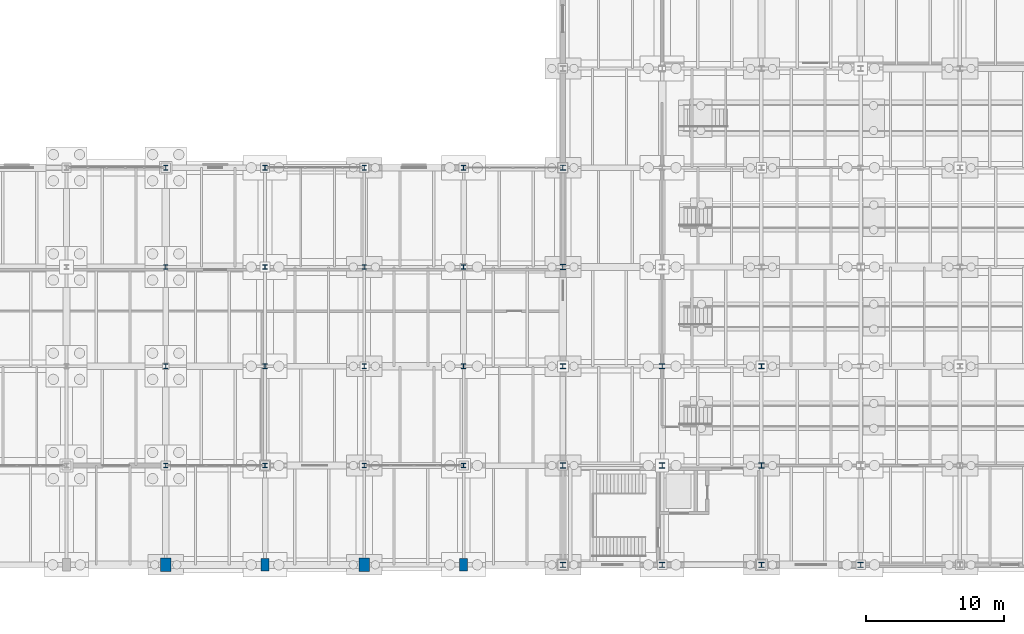
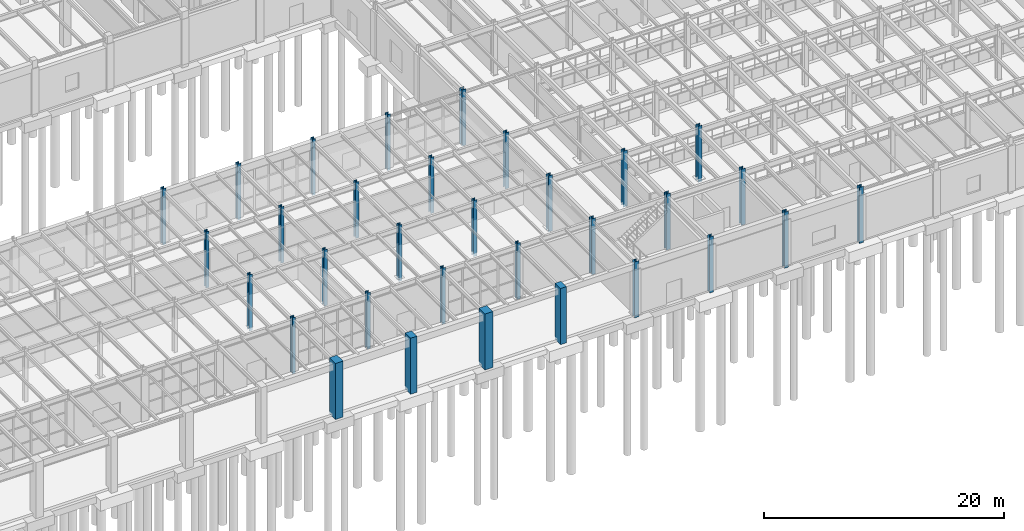
# One storey, part 26 of 293: 32 columns.
"""IFC4 building model written with IfcOpenShell, lengths in metres."""

import ifcopenshell
import ifcopenshell.guid

model = None  # the IFC model being written
_history = None  # IfcOwnerHistory: only IFC2X3 demands one
_inside = {}  # id of a spatial element -> (the spatial element, [elements in it])
_under = {}  # id of a project, library or spatial element -> (it, [spatial elements below it])
_declared = {}  # id of a project -> (the project, [libraries it declares])
_typed = {}  # id of a type object -> (the type object, [elements of that type])
_made_of = {}  # id of a material, layer set ... -> (it, [elements and type objects made of it])


def new_model(schema):
    """Start an empty IFC model of exactly this schema.

    Asked for "IFC4X3", IfcOpenShell would pick the latest addendum, in which some entities
    have other attributes; the version numbers below select the first issue.
    IFC2X3 requires an IfcOwnerHistory on every rooted entity: one is made here for all.
    """
    global model, _history
    if schema == "IFC4X3":
        model = ifcopenshell.file(schema_version=(4, 3, 0, 0))
    else:
        model = ifcopenshell.file(schema=schema)
    _inside.clear()
    _under.clear()
    _declared.clear()
    _typed.clear()
    _made_of.clear()
    _history = None
    if model.schema == "IFC2X3":
        org = make("IfcOrganization", Name="unknown")
        user = make(
            "IfcPersonAndOrganization",
            ThePerson=make("IfcPerson", FamilyName="unknown"),
            TheOrganization=org,
        )
        app = make(
            "IfcApplication",
            ApplicationDeveloper=org,
            Version="unknown",
            ApplicationFullName="unknown",
            ApplicationIdentifier="unknown",
        )
        _history = make(
            "IfcOwnerHistory",
            OwningUser=user,
            OwningApplication=app,
            ChangeAction="ADDED",
            CreationDate=0,
        )
    return model


def make(cls, **values):
    """One entity of the class cls with the attributes given. An attribute that is None is left unset."""
    return model.create_entity(
        cls, **{name: value for name, value in values.items() if value is not None}
    )


def rooted(cls, **values):
    """An entity with a GlobalId (a new one), such as an element, a storey or a relation."""
    return make(cls, GlobalId=ifcopenshell.guid.new(), OwnerHistory=_history, **values)


def si_unit(unit_type, name, prefix=None):
    """IfcSIUnit, for example si_unit("LENGTHUNIT", "METRE", prefix="MILLI")."""
    return make("IfcSIUnit", UnitType=unit_type, Prefix=prefix, Name=name)


def assignment(units):
    """IfcUnitAssignment: the units of a project."""
    return None if units is None else make("IfcUnitAssignment", Units=units)


def point(xyz):
    """IfcCartesianPoint."""
    return None if xyz is None else make("IfcCartesianPoint", Coordinates=xyz)


def direction(xyz):
    """IfcDirection."""
    return None if xyz is None else make("IfcDirection", DirectionRatios=xyz)


def frame(location, z_axis=None, x_axis=None):
    """IfcAxis2Placement3D, a coordinate frame: its origin and axes. An axis left out is left unset."""
    return make(
        "IfcAxis2Placement3D",
        Location=point(location),
        Axis=direction(z_axis),
        RefDirection=direction(x_axis),
    )


def frame_2d(location, x_axis=None):
    """IfcAxis2Placement2D, a coordinate frame in the plane: its origin and x axis."""
    return make(
        "IfcAxis2Placement2D", Location=point(location), RefDirection=direction(x_axis)
    )


def origin():
    """The frame at (0, 0, 0) with its axes left unset."""
    return frame((0.0, 0.0, 0.0))


def origin_2d():
    """The frame at (0, 0) in the plane with its x axis left unset."""
    return frame_2d((0.0, 0.0))


def place(relative_to, where):
    """IfcLocalPlacement: puts the frame where relative to a parent placement (None: the world)."""
    return make(
        "IfcLocalPlacement", PlacementRelTo=relative_to, RelativePlacement=where
    )


def context(
    kind, dimensions, precision=None, world=None, true_north=None, identifier=None
):
    """IfcGeometricRepresentationContext, for example the 3D "Model" context."""
    return make(
        "IfcGeometricRepresentationContext",
        ContextIdentifier=identifier,
        ContextType=kind,
        CoordinateSpaceDimension=dimensions,
        Precision=precision,
        WorldCoordinateSystem=world,
        TrueNorth=true_north,
    )


def subcontext(parent, identifier, kind, view, scale=None):
    """IfcGeometricRepresentationSubContext, for example "Body" below "Model"."""
    return make(
        "IfcGeometricRepresentationSubContext",
        ContextIdentifier=identifier,
        ContextType=kind,
        ParentContext=parent,
        TargetScale=scale,
        TargetView=view,
    )


def project(units=None, contexts=None):
    """IfcProject with its units and contexts."""
    return rooted(
        "IfcProject",
        Name="project",
        RepresentationContexts=contexts,
        UnitsInContext=assignment(units),
    )


def spatial(cls, under=None, at=None, **own):
    """A site, building, storey or space (cls), placed at a placement, below another one or the project."""
    s = rooted(cls, ObjectPlacement=at, **own)
    if under is not None:
        _under.setdefault(under.id(), (under, []))[1].append(s)
    return s


def profile(cls, at=None, kind="AREA", **sizes):
    """A parametric profile (cls). Its sizes go by their IFC names, for example OverallWidth=200.0."""
    return make(cls, ProfileType=kind, Position=at, **sizes)


def rectangle(**sizes):
    """IfcRectangleProfileDef."""
    return profile("IfcRectangleProfileDef", **sizes)


def i_section(**sizes):
    """IfcIShapeProfileDef."""
    return profile("IfcIShapeProfileDef", **sizes)


def extrude(swept, where, along, depth):
    """IfcExtrudedAreaSolid: the profile swept, set in the frame where, extruded along a direction by depth."""
    return make(
        "IfcExtrudedAreaSolid",
        SweptArea=swept,
        Position=where,
        ExtrudedDirection=direction(along),
        Depth=depth,
    )


def shape(context_of_items, identifier, shape_type, items):
    """IfcShapeRepresentation: the items that make up one representation, for example the "Body"."""
    return make(
        "IfcShapeRepresentation",
        ContextOfItems=context_of_items,
        RepresentationIdentifier=identifier,
        RepresentationType=shape_type,
        Items=items,
    )


def material(Name=None, Category=None):
    """IfcMaterial."""
    return make("IfcMaterial", Name=Name, Category=Category)


def material_profile(
    of_material, cross_section, Name=None, Category=None, Priority=None
):
    """IfcMaterialProfile: a cross section and its material."""
    return make(
        "IfcMaterialProfile",
        Name=Name,
        Material=of_material,
        Profile=cross_section,
        Priority=Priority,
        Category=Category,
    )


def profile_set(profiles, Name=None, composite=None):
    """IfcMaterialProfileSet."""
    return make(
        "IfcMaterialProfileSet",
        Name=Name,
        MaterialProfiles=profiles,
        CompositeProfile=composite,
    )


def made_of(thing, what):
    """Note that an element or type object is made of a material, layer set ...; save() writes the relation."""
    if what is not None:
        _made_of.setdefault(what.id(), (what, []))[1].append(thing)
    return thing


def type_object(cls, material=None, **own):
    """A type object (cls), such as IfcWallType, which elements share."""
    return made_of(rooted(cls, **own), material)


def element(
    cls,
    number,
    at=None,
    inside=None,
    cuts=None,
    type_object=None,
    material=None,
    context=None,
    identifier="Body",
    shape_type=None,
    held_by="IfcProductDefinitionShape",
    body=None,
    shapes=None,
    **own,
):
    """One element of the class cls, such as IfcWall. Its Tag is "e" and its number.

    at: its placement. inside: the storey or other place that contains it. cuts: it is an
    opening in that element (IfcRelVoidsElement). A single representation is given by context,
    identifier, shape_type and body (its items); several are given by shapes. held_by: the class
    of the entity that holds the representations. save() writes the other relations.
    """
    e = rooted(cls, Tag="e%d" % number, ObjectPlacement=at, **own)
    if body is not None:
        shapes = [shape(context, identifier, shape_type, body)]
    if shapes is not None:
        e.Representation = make(held_by, Representations=shapes)
    if inside is not None:
        _inside.setdefault(inside.id(), (inside, []))[1].append(e)
    if cuts is not None:
        rooted(
            "IfcRelVoidsElement", RelatingBuildingElement=cuts, RelatedOpeningElement=e
        )
    if type_object is not None:
        _typed.setdefault(type_object.id(), (type_object, []))[1].append(e)
    return made_of(e, material)


def aggregate(whole, parts):
    """IfcRelAggregates: a whole, such as a stair, and the parts it consists of."""
    return rooted("IfcRelAggregates", RelatingObject=whole, RelatedObjects=parts)


def save(model, path):
    """Write the relations noted so far, then the file.

    IfcRelAggregates (storeys below a building ...), IfcRelContainedInSpatialStructure (elements
    in a storey), IfcRelDefinesByType, IfcRelAssociatesMaterial and IfcRelDeclares: one each for
    every whole, place, type object, material and project.
    """
    for whole, parts in _under.values():
        aggregate(whole, parts)
    for where, things in _inside.values():
        rooted(
            "IfcRelContainedInSpatialStructure",
            RelatedElements=things,
            RelatingStructure=where,
        )
    for kind, things in _typed.values():
        rooted("IfcRelDefinesByType", RelatedObjects=things, RelatingType=kind)
    for what, things in _made_of.values():
        rooted("IfcRelAssociatesMaterial", RelatedObjects=things, RelatingMaterial=what)
    for by, libraries in _declared.values():
        rooted("IfcRelDeclares", RelatingContext=by, RelatedDefinitions=libraries)
    model.write(path)


model = new_model("IFC4")

# Units and contexts
model_context = context("Model", 3, precision=1e-05, world=origin(), true_north=direction((0.0, 1.0)))
body_context = subcontext(model_context, "Body", "Model", "MODEL_VIEW")
ifc_project = project(units=[si_unit("LENGTHUNIT", "METRE"), si_unit("AREAUNIT", "SQUARE_METRE"), si_unit("VOLUMEUNIT", "CUBIC_METRE"), si_unit("PLANEANGLEUNIT", "RADIAN"), si_unit("MASSUNIT", "GRAM", prefix="KILO")], contexts=[model_context])

# Site, building, storey
site_placement = place(None, origin())
site = spatial("IfcSite", under=ifc_project, at=site_placement, CompositionType="ELEMENT")
building_placement = place(site_placement, origin())
building = spatial("IfcBuilding", under=site, at=building_placement, Name="Kemerveld Promenade Tramway Depot", CompositionType="ELEMENT")
storey_placement = place(building_placement, origin())
storey = spatial("IfcBuildingStorey", under=building, at=storey_placement, Name="L00", CompositionType="ELEMENT", Elevation=0.0)

# Columns
ifc_material_1 = material(Name="Concrete C40/50", Category="concrete")
ifc_material_profile_1 = material_profile(ifc_material_1, rectangle(XDim=0.60009765625, YDim=0.89990234375, at=origin_2d()), Name="RC-PIER-900x600")
ifc_profile_set_1 = profile_set([ifc_material_profile_1], Name="Concrete C40/50")
column_type_1 = type_object("IfcColumnType", Name="COL-RC3", PredefinedType="COLUMN", material=ifc_profile_set_1)
for number, where, z_axis, x_axis, name in (
    (1, (136.800048828125, 0.0, -0.300048828125), (0.0, 0.0, 1.0), (1.0, 0.0, 0.0), "COL-L00-20-A"),
    (2, (151.199951171875, 0.0, -0.300048828125), (0.0, 0.0, 1.0), (1.0, 0.0, 0.0), "COL-L00-22-A"),
):
    element("IfcColumn", number, at=place(storey_placement, frame(where, z_axis=z_axis, x_axis=x_axis)), inside=storey, type_object=column_type_1, Name=name, PredefinedType="COLUMN", context=body_context, shape_type="SweptSolid", body=[
        extrude(rectangle(XDim=0.60009765625, YDim=0.89990234375, at=origin_2d()), origin(), (0.0, 0.0, 1.0), 5.699951171875),
    ])
ifc_material_profile_2 = material_profile(ifc_material_1, rectangle(XDim=0.75, YDim=1.0, at=origin_2d()), Name="RC-PIER-1000x750")
ifc_profile_set_2 = profile_set([ifc_material_profile_2], Name="Concrete C40/50")
column_type_2 = type_object("IfcColumnType", Name="COL-RC4", PredefinedType="COLUMN", material=ifc_profile_set_2)
for number, where, z_axis, x_axis, name in (
    (3, (129.60009765625, 0.0, -0.300048828125), (0.0, 0.0, 1.0), (1.0, 0.0, 0.0), "COL-L00-19-A"),
    (4, (144.0, 0.0, -0.300048828125), (0.0, 0.0, 1.0), (1.0, 0.0, 0.0), "COL-L00-21-A"),
):
    element("IfcColumn", number, at=place(storey_placement, frame(where, z_axis=z_axis, x_axis=x_axis)), inside=storey, type_object=column_type_2, Name=name, PredefinedType="COLUMN", context=body_context, shape_type="SweptSolid", body=[
        extrude(rectangle(XDim=0.75, YDim=1.0, at=origin_2d()), origin(), (0.0, 0.0, 1.0), 5.699951171875),
    ])
ifc_material_2 = material(Name="Steel S355", Category="steel")
ifc_material_profile_3 = material_profile(ifc_material_2, i_section(OverallWidth=0.394775390625, OverallDepth=0.381103515625, WebThickness=0.018310546875, FlangeThickness=0.0302734375, FilletRadius=0.01513671875, at=origin_2d()), Name="356x406x235 UC")
ifc_profile_set_3 = profile_set([ifc_material_profile_3], Name="Steel S355")
column_type_3 = type_object("IfcColumnType", Name="COL-S02", PredefinedType="COLUMN", material=ifc_profile_set_3)
for number, where, z_axis, x_axis, name in (
    (5, (158.39990234375, 0.0, -0.300048828125), (0.0, 0.0, 1.0), (1.0, 0.0, 0.0), "COL-L00-23-A"),
    (6, (158.39990234375, 7.199951171875, -0.300048828125), (0.0, 0.0, 1.0), (1.0, 0.0, 0.0), "COL-L00-23-B"),
    (7, (158.39990234375, 14.39990234375, -0.300048828125), (0.0, 0.0, 1.0), (1.0, 0.0, 0.0), "COL-L00-23-C"),
    (8, (158.39990234375, 21.60009765625, -0.300048828125), (0.0, 0.0, 1.0), (1.0, 0.0, 0.0), "COL-L00-23-D"),
    (9, (158.39990234375, 28.800048828125, -0.300048828125), (0.0, 0.0, 1.0), (1.0, 0.0, 0.0), "COL-L00-23-E"),
    (10, (165.60009765625, 0.0, -0.300048828125), (0.0, 0.0, 1.0), (1.0, 0.0, 0.0), "COL-L00-24-A"),
    (11, (165.60009765625, 7.199951171875, -0.300048828125), (0.0, 0.0, 1.0), (1.0, 0.0, 0.0), "COL-L00-24-B"),
    (12, (165.60009765625, 14.39990234375, -0.300048828125), (0.0, 0.0, 1.0), (1.0, 0.0, 0.0), "COL-L00-24-C"),
    (13, (172.800048828125, 0.0, -0.300048828125), (0.0, 0.0, 1.0), (1.0, 0.0, 0.0), "COL-L00-25-A"),
    (14, (172.800048828125, 7.199951171875, -0.300048828125), (0.0, 0.0, 1.0), (1.0, 0.0, 0.0), "COL-L00-25-B"),
    (15, (172.800048828125, 14.39990234375, -0.300048828125), (0.0, 0.0, 1.0), (1.0, 0.0, 0.0), "COL-L00-25-C"),
    (16, (180.0, 0.0, -0.300048828125), (0.0, 0.0, 1.0), (1.0, 0.0, 0.0), "COL-L00-26-A"),
):
    element("IfcColumn", number, at=place(storey_placement, frame(where, z_axis=z_axis, x_axis=x_axis)), inside=storey, type_object=column_type_3, Name=name, PredefinedType="COLUMN", context=body_context, shape_type="SweptSolid", body=[
        extrude(i_section(OverallWidth=0.394775390625, OverallDepth=0.381103515625, WebThickness=0.018310546875, FlangeThickness=0.0302734375, FilletRadius=0.01513671875, at=origin_2d()), origin(), (0.0, 0.0, 1.0), 5.699951171875),
    ])
ifc_material_profile_4 = material_profile(ifc_material_2, i_section(OverallWidth=0.318359375, OverallDepth=0.3525390625, WebThickness=0.02294921875, FlangeThickness=0.03759765625, FilletRadius=0.01513671875, at=origin_2d()), Name="305x305x240 UC")
ifc_profile_set_4 = profile_set([ifc_material_profile_4], Name="Steel S355")
column_type_4 = type_object("IfcColumnType", Name="COL-S04", PredefinedType="COLUMN", material=ifc_profile_set_4)
for number, where, z_axis, x_axis, name in (
    (17, (129.60009765625, 7.199951171875, -0.300048828125), (0.0, 0.0, 1.0), (1.0, 0.0, 0.0), "COL-L00-19-B"),
    (18, (129.60009765625, 14.39990234375, -0.300048828125), (0.0, 0.0, 1.0), (1.0, 0.0, 0.0), "COL-L00-19-C"),
    (19, (129.60009765625, 21.60009765625, -0.300048828125), (0.0, 0.0, 1.0), (1.0, 0.0, 0.0), "COL-L00-19-D"),
    (20, (129.60009765625, 28.800048828125, -0.300048828125), (0.0, 0.0, 1.0), (1.0, 0.0, 0.0), "COL-L00-19-E"),
    (21, (136.800048828125, 7.199951171875, -0.300048828125), (0.0, 0.0, 1.0), (1.0, 0.0, 0.0), "COL-L00-20-B"),
    (22, (136.800048828125, 14.39990234375, -0.300048828125), (0.0, 0.0, 1.0), (1.0, 0.0, 0.0), "COL-L00-20-C"),
    (23, (136.800048828125, 21.60009765625, -0.300048828125), (0.0, 0.0, 1.0), (1.0, 0.0, 0.0), "COL-L00-20-D"),
    (24, (136.800048828125, 28.800048828125, -0.300048828125), (0.0, 0.0, 1.0), (1.0, 0.0, 0.0), "COL-L00-20-E"),
    (25, (144.0, 7.199951171875, -0.300048828125), (0.0, 0.0, 1.0), (1.0, 0.0, 0.0), "COL-L00-21-B"),
    (26, (144.0, 14.39990234375, -0.300048828125), (0.0, 0.0, 1.0), (1.0, 0.0, 0.0), "COL-L00-21-C"),
    (27, (144.0, 21.60009765625, -0.300048828125), (0.0, 0.0, 1.0), (1.0, 0.0, 0.0), "COL-L00-21-D"),
    (28, (144.0, 28.800048828125, -0.300048828125), (0.0, 0.0, 1.0), (1.0, 0.0, 0.0), "COL-L00-21-E"),
    (29, (151.199951171875, 7.199951171875, -0.300048828125), (0.0, 0.0, 1.0), (1.0, 0.0, 0.0), "COL-L00-22-B"),
    (30, (151.199951171875, 14.39990234375, -0.300048828125), (0.0, 0.0, 1.0), (1.0, 0.0, 0.0), "COL-L00-22-C"),
    (31, (151.199951171875, 21.60009765625, -0.300048828125), (0.0, 0.0, 1.0), (1.0, 0.0, 0.0), "COL-L00-22-D"),
    (32, (151.199951171875, 28.800048828125, -0.300048828125), (0.0, 0.0, 1.0), (1.0, 0.0, 0.0), "COL-L00-22-E"),
):
    element("IfcColumn", number, at=place(storey_placement, frame(where, z_axis=z_axis, x_axis=x_axis)), inside=storey, type_object=column_type_4, Name=name, PredefinedType="COLUMN", context=body_context, shape_type="SweptSolid", body=[
        extrude(i_section(OverallWidth=0.318359375, OverallDepth=0.3525390625, WebThickness=0.02294921875, FlangeThickness=0.03759765625, FilletRadius=0.01513671875, at=origin_2d()), origin(), (0.0, 0.0, 1.0), 5.699951171875),
    ])

save(model, "model.ifc")
